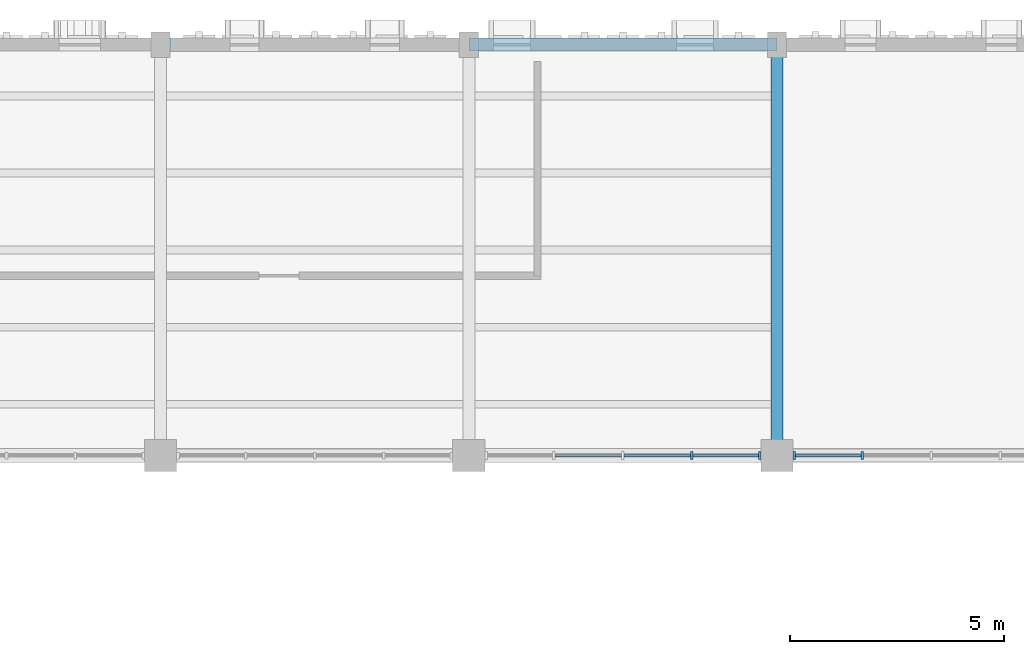
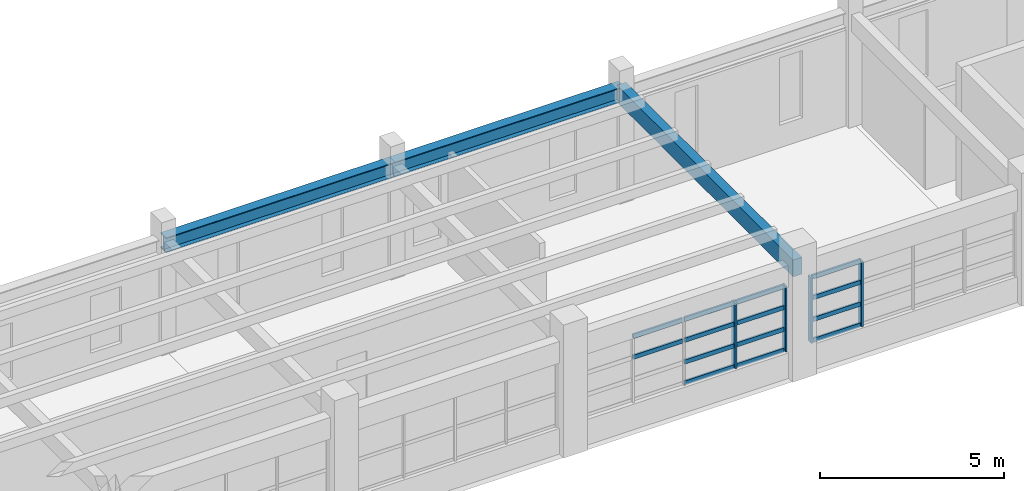
# One storey, part 18 of 69: 18 members, 3 beams, 2 elements without a shape of their own.
"""IFC4 building model written with IfcOpenShell, lengths in metres."""

from ifc_helpers import new_model, si_unit, direction, frame, origin, origin_2d, place, context, subcontext, project, spatial, rectangle, i_section, extrude, material, material_profile, profile_set, type_object, element, aggregate, save


model = new_model("IFC4")

# Units and contexts
model_context = context("Model", 3, precision=1e-05, world=origin(), true_north=direction((0.0, 1.0)))
body_context = subcontext(model_context, "Body", "Model", "MODEL_VIEW")
ifc_project = project(units=[si_unit("LENGTHUNIT", "METRE"), si_unit("AREAUNIT", "SQUARE_METRE"), si_unit("VOLUMEUNIT", "CUBIC_METRE"), si_unit("PLANEANGLEUNIT", "RADIAN"), si_unit("MASSUNIT", "GRAM", prefix="KILO")], contexts=[model_context])

# Site, building, storey
site_placement = place(None, origin())
site = spatial("IfcSite", under=ifc_project, at=site_placement, CompositionType="ELEMENT")
building_placement = place(site_placement, origin())
building = spatial("IfcBuilding", under=site, at=building_placement, Name="Nzembalo Square Collegiate School", CompositionType="ELEMENT")
storey_placement = place(building_placement, frame((0.0, 0.0, 5.10009765625)))
storey = spatial("IfcBuildingStorey", under=building, at=storey_placement, Name="L01", CompositionType="ELEMENT", Elevation=5.10009765625)

# Beams
ifc_material_1 = material(Name="Glulam GL28h", Category="wood")
ifc_material_profile_1 = material_profile(ifc_material_1, rectangle(XDim=0.280029296875, YDim=0.56005859375, at=origin_2d()), Name="GL28h 280x560")
ifc_profile_set_1 = profile_set([ifc_material_profile_1], Name="Glulam GL28h")
beam_type_1 = type_object("IfcBeamType", Name="B05", PredefinedType="BEAM", material=ifc_profile_set_1)
beam_1_placement = place(storey_placement, frame((69.60009765625, 104.39990234375, 3.469970703125), z_axis=(0.0, 1.0, 0.0), x_axis=(-1.0, 0.0, 0.0)))
element("IfcBeam", 1, at=beam_1_placement, inside=storey, type_object=beam_type_1, Name="Beam B05 L01", PredefinedType="BEAM", context=body_context, shape_type="SweptSolid", body=[
    extrude(rectangle(XDim=0.280029296875, YDim=0.56005859375, at=origin_2d()), origin(), (0.0, 0.0, 1.0), 9.60009765625),
])
ifc_material_2 = material(Name="Steel S355", Category="steel")
ifc_material_profile_2 = material_profile(ifc_material_2, i_section(OverallWidth=0.300048828125, OverallDepth=0.5, WebThickness=0.014404296875, FlangeThickness=0.028076171875, at=origin_2d()), Name="HEB 500")
ifc_profile_set_2 = profile_set([ifc_material_profile_2], Name="Steel S355")
beam_type_2 = type_object("IfcBeamType", Name="B07", PredefinedType="BEAM", material=ifc_profile_set_2)
beam_2_placement = place(storey_placement, frame((55.199951171875, 114.0, 3.5), z_axis=(1.0, 0.0, 0.0), x_axis=(0.0, 1.0, 0.0)))
element("IfcBeam", 2, at=beam_2_placement, inside=storey, type_object=beam_type_2, Name="Beam B07 L01", PredefinedType="BEAM", context=body_context, shape_type="SweptSolid", body=[
    extrude(i_section(OverallWidth=0.300048828125, OverallDepth=0.5, WebThickness=0.014404296875, FlangeThickness=0.028076171875, at=origin_2d()), origin(), (0.0, 0.0, 1.0), 7.199951171875),
])
beam_3_placement = place(storey_placement, frame((62.39990234375, 114.0, 3.5), z_axis=(1.0, 0.0, 0.0), x_axis=(0.0, 1.0, 0.0)))
element("IfcBeam", 3, at=beam_3_placement, inside=storey, type_object=beam_type_2, Name="Beam B07 L01", PredefinedType="BEAM", context=body_context, shape_type="SweptSolid", body=[
    extrude(i_section(OverallWidth=0.300048828125, OverallDepth=0.5, WebThickness=0.014404296875, FlangeThickness=0.028076171875, at=origin_2d()), origin(), (0.0, 0.0, 1.0), 7.2001953125),
])

# Curtain wall, members
ifc_material_3 = material(Name="Aluminium 6060-T66", Category="aluminium")
curtain_wall_type_1 = type_object("IfcCurtainWallType", Name="CW-01", PredefinedType="USERDEFINED", material=ifc_material_3)
curtain_wall_1_placement = place(storey_placement, origin())
curtain_wall_1 = element("IfcCurtainWall", 4, at=curtain_wall_1_placement, inside=storey, type_object=curtain_wall_type_1, Name="Curtain wall CW-01 cw:L01:088", ObjectType="UNITISED", PredefinedType="USERDEFINED")
ifc_material_4 = material(Name="Aluminium 6060-T66", Category="aluminium")
ifc_material_profile_3 = material_profile(ifc_material_4, rectangle(XDim=0.06005859375, YDim=0.179931640625, at=origin_2d()), Name="ALU M60x180")
ifc_profile_set_3 = profile_set([ifc_material_profile_3], Name="Aluminium 6060-T66")
member_type_1 = type_object("IfcMemberType", Name="ML01", PredefinedType="MULLION", material=ifc_profile_set_3)
member_1_placement = place(storey_placement, frame((67.611572265625, 104.39990234375, 0.849853515625), z_axis=(0.0, 0.0, 1.0), x_axis=(1.0, 0.0, 0.0)))
member_1 = element("IfcMember", 5, at=member_1_placement, type_object=member_type_1, Name="ML01 mullion 4", PredefinedType="MULLION", context=body_context, shape_type="SweptSolid", body=[
    extrude(rectangle(XDim=0.06005859375, YDim=0.179931640625, at=origin_2d()), origin(), (0.0, 0.0, 1.0), 2.174072265625),
])
member_2_placement = place(storey_placement, frame((69.193115234375, 104.39990234375, 0.849853515625), z_axis=(0.0, 0.0, 1.0), x_axis=(1.0, 0.0, 0.0)))
member_2 = element("IfcMember", 6, at=member_2_placement, type_object=member_type_1, Name="ML01 mullion 5", PredefinedType="MULLION", context=body_context, shape_type="SweptSolid", body=[
    extrude(rectangle(XDim=0.06005859375, YDim=0.179931640625, at=origin_2d()), origin(), (0.0, 0.0, 1.0), 2.174072265625),
])

ifc_material_5 = material(Name="Aluminium 6060-T66", Category="aluminium")
curtain_wall_type_2 = type_object("IfcCurtainWallType", Name="CW-02", PredefinedType="USERDEFINED", material=ifc_material_5)
curtain_wall_2_placement = place(storey_placement, origin())
curtain_wall_2 = element("IfcCurtainWall", 7, at=curtain_wall_2_placement, inside=storey, type_object=curtain_wall_type_2, Name="Curtain wall CW-02 cw:L01:089", ObjectType="UNITISED", PredefinedType="USERDEFINED")
member_3_placement = place(storey_placement, frame((70.007080078125, 104.39990234375, 0.849853515625), z_axis=(0.0, 0.0, 1.0), x_axis=(1.0, 0.0, 0.0)))
member_3 = element("IfcMember", 8, at=member_3_placement, type_object=member_type_1, Name="ML01 mullion 1", PredefinedType="MULLION", context=body_context, shape_type="SweptSolid", body=[
    extrude(rectangle(XDim=0.06005859375, YDim=0.179931640625, at=origin_2d()), origin(), (0.0, 0.0, 1.0), 2.174072265625),
])
member_4_placement = place(storey_placement, frame((71.58837890625, 104.39990234375, 0.849853515625), z_axis=(0.0, 0.0, 1.0), x_axis=(1.0, 0.0, 0.0)))
member_4 = element("IfcMember", 9, at=member_4_placement, type_object=member_type_1, Name="ML01 mullion 2", PredefinedType="MULLION", context=body_context, shape_type="SweptSolid", body=[
    extrude(rectangle(XDim=0.06005859375, YDim=0.179931640625, at=origin_2d()), origin(), (0.0, 0.0, 1.0), 2.174072265625),
])

# Member
ifc_material_6 = material(Name="Aluminium 6060-T66", Category="aluminium")
ifc_material_profile_4 = material_profile(ifc_material_6, rectangle(XDim=0.06005859375, YDim=0.139892578125, at=origin_2d()), Name="ALU T60x140")
ifc_profile_set_4 = profile_set([ifc_material_profile_4], Name="Aluminium 6060-T66")
member_type_2 = type_object("IfcMemberType", Name="TR01", PredefinedType="USERDEFINED", material=ifc_profile_set_4)
member_5_placement = place(storey_placement, frame((66.030029296875, 104.39990234375, 0.8798828125), z_axis=(1.0, 0.0, 0.0), x_axis=(0.0, 1.0, 0.0)))
member_5 = element("IfcMember", 10, at=member_5_placement, type_object=member_type_2, Name="TR01 transom 1-3", ObjectType="TRANSOM", PredefinedType="USERDEFINED", context=body_context, shape_type="SweptSolid", body=[
    extrude(rectangle(XDim=0.06005859375, YDim=0.139892578125, at=origin_2d()), origin(), (0.0, 0.0, 1.0), 1.551513671875),
])

member_6_placement = place(storey_placement, frame((67.6416015625, 104.39990234375, 0.8798828125), z_axis=(1.0, 0.0, 0.0), x_axis=(0.0, 1.0, 0.0)))
member_6 = element("IfcMember", 11, at=member_6_placement, type_object=member_type_2, Name="TR01 transom 1-4", ObjectType="TRANSOM", PredefinedType="USERDEFINED", context=body_context, shape_type="SweptSolid", body=[
    extrude(rectangle(XDim=0.06005859375, YDim=0.139892578125, at=origin_2d()), origin(), (0.0, 0.0, 1.0), 1.521484375),
])

member_7_placement = place(storey_placement, frame((66.030029296875, 104.39990234375, 1.574462890625), z_axis=(1.0, 0.0, 0.0), x_axis=(0.0, 1.0, 0.0)))
member_7 = element("IfcMember", 12, at=member_7_placement, type_object=member_type_2, Name="TR01 transom 2-3", ObjectType="TRANSOM", PredefinedType="USERDEFINED", context=body_context, shape_type="SweptSolid", body=[
    extrude(rectangle(XDim=0.06005859375, YDim=0.139892578125, at=origin_2d()), origin(), (0.0, 0.0, 1.0), 1.551513671875),
])

member_8_placement = place(storey_placement, frame((67.6416015625, 104.39990234375, 1.574462890625), z_axis=(1.0, 0.0, 0.0), x_axis=(0.0, 1.0, 0.0)))
member_8 = element("IfcMember", 13, at=member_8_placement, type_object=member_type_2, Name="TR01 transom 2-4", ObjectType="TRANSOM", PredefinedType="USERDEFINED", context=body_context, shape_type="SweptSolid", body=[
    extrude(rectangle(XDim=0.06005859375, YDim=0.139892578125, at=origin_2d()), origin(), (0.0, 0.0, 1.0), 1.521484375),
])

member_9_placement = place(storey_placement, frame((64.41845703125, 104.39990234375, 2.29931640625), z_axis=(1.0, 0.0, 0.0), x_axis=(0.0, 1.0, 0.0)))
member_9 = element("IfcMember", 14, at=member_9_placement, type_object=member_type_2, Name="TR01 transom 3-2", ObjectType="TRANSOM", PredefinedType="USERDEFINED", context=body_context, shape_type="SweptSolid", body=[
    extrude(rectangle(XDim=0.06005859375, YDim=0.139892578125, at=origin_2d()), origin(), (0.0, 0.0, 1.0), 1.551513671875),
])

member_10_placement = place(storey_placement, frame((66.030029296875, 104.39990234375, 2.29931640625), z_axis=(1.0, 0.0, 0.0), x_axis=(0.0, 1.0, 0.0)))
member_10 = element("IfcMember", 15, at=member_10_placement, type_object=member_type_2, Name="TR01 transom 3-3", ObjectType="TRANSOM", PredefinedType="USERDEFINED", context=body_context, shape_type="SweptSolid", body=[
    extrude(rectangle(XDim=0.06005859375, YDim=0.139892578125, at=origin_2d()), origin(), (0.0, 0.0, 1.0), 1.551513671875),
])

member_11_placement = place(storey_placement, frame((67.6416015625, 104.39990234375, 2.29931640625), z_axis=(1.0, 0.0, 0.0), x_axis=(0.0, 1.0, 0.0)))
member_11 = element("IfcMember", 16, at=member_11_placement, type_object=member_type_2, Name="TR01 transom 3-4", ObjectType="TRANSOM", PredefinedType="USERDEFINED", context=body_context, shape_type="SweptSolid", body=[
    extrude(rectangle(XDim=0.06005859375, YDim=0.139892578125, at=origin_2d()), origin(), (0.0, 0.0, 1.0), 1.521484375),
])

member_12_placement = place(storey_placement, frame((64.41845703125, 104.39990234375, 2.993896484375), z_axis=(1.0, 0.0, 0.0), x_axis=(0.0, 1.0, 0.0)))
member_12 = element("IfcMember", 17, at=member_12_placement, type_object=member_type_2, Name="TR01 transom 4-2", ObjectType="TRANSOM", PredefinedType="USERDEFINED", context=body_context, shape_type="SweptSolid", body=[
    extrude(rectangle(XDim=0.06005859375, YDim=0.139892578125, at=origin_2d()), origin(), (0.0, 0.0, 1.0), 1.551513671875),
])

member_13_placement = place(storey_placement, frame((66.030029296875, 104.39990234375, 2.993896484375), z_axis=(1.0, 0.0, 0.0), x_axis=(0.0, 1.0, 0.0)))
member_13 = element("IfcMember", 18, at=member_13_placement, type_object=member_type_2, Name="TR01 transom 4-3", ObjectType="TRANSOM", PredefinedType="USERDEFINED", context=body_context, shape_type="SweptSolid", body=[
    extrude(rectangle(XDim=0.06005859375, YDim=0.139892578125, at=origin_2d()), origin(), (0.0, 0.0, 1.0), 1.551513671875),
])

member_14_placement = place(storey_placement, frame((67.6416015625, 104.39990234375, 2.993896484375), z_axis=(1.0, 0.0, 0.0), x_axis=(0.0, 1.0, 0.0)))
member_14 = element("IfcMember", 19, at=member_14_placement, type_object=member_type_2, Name="TR01 transom 4-4", ObjectType="TRANSOM", PredefinedType="USERDEFINED", context=body_context, shape_type="SweptSolid", body=[
    extrude(rectangle(XDim=0.06005859375, YDim=0.139892578125, at=origin_2d()), origin(), (0.0, 0.0, 1.0), 1.521484375),
])

aggregate(curtain_wall_1, [member_1, member_2, member_5, member_6, member_7, member_8, member_9, member_10, member_11, member_12, member_13, member_14])

member_15_placement = place(storey_placement, frame((70.037109375, 104.39990234375, 0.8798828125), z_axis=(1.0, 0.0, 0.0), x_axis=(0.0, 1.0, 0.0)))
member_15 = element("IfcMember", 20, at=member_15_placement, type_object=member_type_2, Name="TR01 transom 1-1", ObjectType="TRANSOM", PredefinedType="USERDEFINED", context=body_context, shape_type="SweptSolid", body=[
    extrude(rectangle(XDim=0.06005859375, YDim=0.139892578125, at=origin_2d()), origin(), (0.0, 0.0, 1.0), 1.521484375),
])

member_16_placement = place(storey_placement, frame((70.037109375, 104.39990234375, 1.574462890625), z_axis=(1.0, 0.0, 0.0), x_axis=(0.0, 1.0, 0.0)))
member_16 = element("IfcMember", 21, at=member_16_placement, type_object=member_type_2, Name="TR01 transom 2-1", ObjectType="TRANSOM", PredefinedType="USERDEFINED", context=body_context, shape_type="SweptSolid", body=[
    extrude(rectangle(XDim=0.06005859375, YDim=0.139892578125, at=origin_2d()), origin(), (0.0, 0.0, 1.0), 1.521484375),
])

member_17_placement = place(storey_placement, frame((70.037109375, 104.39990234375, 2.29931640625), z_axis=(1.0, 0.0, 0.0), x_axis=(0.0, 1.0, 0.0)))
member_17 = element("IfcMember", 22, at=member_17_placement, type_object=member_type_2, Name="TR01 transom 3-1", ObjectType="TRANSOM", PredefinedType="USERDEFINED", context=body_context, shape_type="SweptSolid", body=[
    extrude(rectangle(XDim=0.06005859375, YDim=0.139892578125, at=origin_2d()), origin(), (0.0, 0.0, 1.0), 1.521484375),
])

member_18_placement = place(storey_placement, frame((70.037109375, 104.39990234375, 2.993896484375), z_axis=(1.0, 0.0, 0.0), x_axis=(0.0, 1.0, 0.0)))
member_18 = element("IfcMember", 23, at=member_18_placement, type_object=member_type_2, Name="TR01 transom 4-1", ObjectType="TRANSOM", PredefinedType="USERDEFINED", context=body_context, shape_type="SweptSolid", body=[
    extrude(rectangle(XDim=0.06005859375, YDim=0.139892578125, at=origin_2d()), origin(), (0.0, 0.0, 1.0), 1.521484375),
])

aggregate(curtain_wall_2, [member_3, member_4, member_15, member_16, member_17, member_18])

save(model, "model.ifc")
